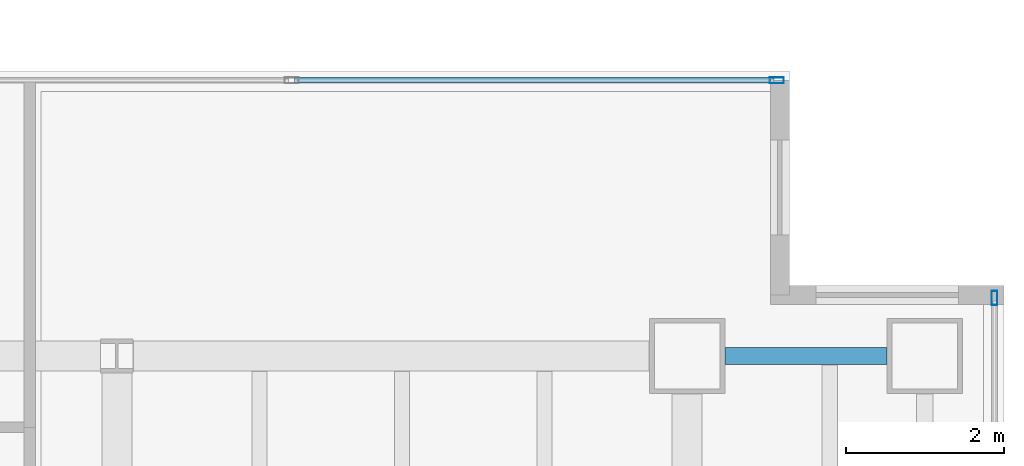
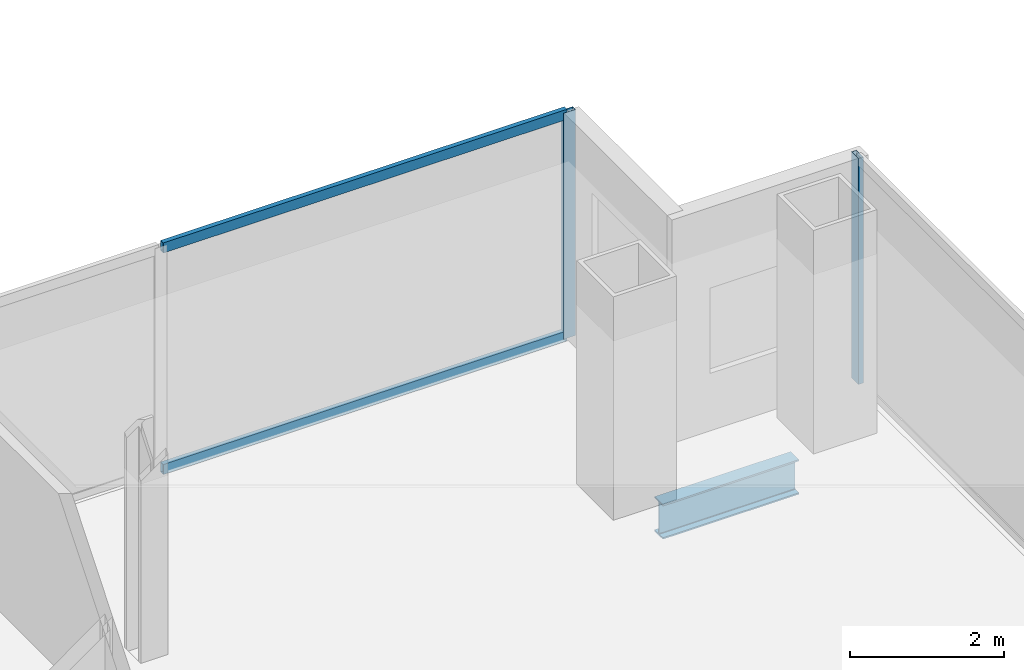
# One storey, part 15 of 24: 4 members, 1 beam, 2 elements without a shape of their own.
"""IFC4 building model written with IfcOpenShell, lengths in metres."""

from ifc_helpers import new_model, si_unit, direction, frame, origin, origin_2d, place, context, subcontext, project, spatial, hollow_rectangle, i_section, extrude, material, material_profile, profile_set, type_object, element, aggregate, save


model = new_model("IFC4")

# Units and contexts
model_context = context("Model", 3, precision=1e-05, world=origin(), true_north=direction((0.0, 1.0)))
body_context = subcontext(model_context, "Body", "Model", "MODEL_VIEW")
ifc_project = project(units=[si_unit("LENGTHUNIT", "METRE"), si_unit("AREAUNIT", "SQUARE_METRE"), si_unit("VOLUMEUNIT", "CUBIC_METRE"), si_unit("PLANEANGLEUNIT", "RADIAN"), si_unit("MASSUNIT", "GRAM", prefix="KILO")], contexts=[model_context])

# Site, building, storey
site_placement = place(None, origin())
site = spatial("IfcSite", under=ifc_project, at=site_placement, CompositionType="ELEMENT")
building_placement = place(site_placement, origin())
building = spatial("IfcBuilding", under=site, at=building_placement, Name="Cobrela Telecom Tower", CompositionType="ELEMENT")
storey_placement = place(building_placement, frame((0.0, 0.0, 106.050048828125)))
storey = spatial("IfcBuildingStorey", under=building, at=storey_placement, Name="L26", CompositionType="ELEMENT", Elevation=106.050048828125)

# Beam
ifc_material_1 = material(Name="Steel ASTM A992 Grade 50", Category="steel")
ifc_material_profile_1 = material_profile(ifc_material_1, i_section(OverallWidth=0.212890625, OverallDepth=0.549072265625, WebThickness=0.0146484375, FlangeThickness=0.023681640625, FilletRadius=0.013916015625, at=origin_2d()), Name="W21X93")
ifc_profile_set_1 = profile_set([ifc_material_profile_1], Name="Steel ASTM A992 Grade 50")
beam_type = type_object("IfcBeamType", Name="BM-SPAND-03", PredefinedType="SPANDREL", material=ifc_profile_set_1)
beam_placement = place(storey_placement, frame((43.679931640625, 21.60009765625, -0.54443359375), z_axis=(1.0, 0.0, 0.0), x_axis=(0.0, 1.0, 0.0)))
element("IfcBeam", 1, at=beam_placement, inside=storey, type_object=beam_type, Name="L26 Perimeter Spandrel X22", PredefinedType="SPANDREL", context=body_context, shape_type="SweptSolid", body=[
    extrude(i_section(OverallWidth=0.212890625, OverallDepth=0.549072265625, WebThickness=0.0146484375, FlangeThickness=0.023681640625, FilletRadius=0.013916015625, at=origin_2d()), origin(), (0.0, 0.0, 1.0), 2.0400390625),
])

# Curtain wall, member
ifc_material_2 = material(Name="Anodized Bronze Aluminium 6063-T6", Category="aluminium")
curtain_wall_type = type_object("IfcCurtainWallType", Name="CW-SYS-TEL", PredefinedType="USERDEFINED", material=ifc_material_2)
curtain_wall_1_placement = place(storey_placement, origin())
curtain_wall_1 = element("IfcCurtainWall", 2, at=curtain_wall_1_placement, inside=storey, type_object=curtain_wall_type, Name="L26 Unitised Bronze Curtain Wall 11", ObjectType="UNITISED CURTAIN WALL", PredefinedType="USERDEFINED")
ifc_material_profile_2 = material_profile(ifc_material_2, hollow_rectangle(XDim=0.074951171875, YDim=0.179931640625, WallThickness=0.00390625, at=origin_2d()), Name="ALU 75x180x4")
ifc_profile_set_2 = profile_set([ifc_material_profile_2], Name="Anodized Bronze Aluminium 6063-T6")
member_type_1 = type_object("IfcMemberType", Name="CW-SYS-TEL-MUL", PredefinedType="MULLION", material=ifc_profile_set_2)
member_1_placement = place(storey_placement, frame((44.33251953125, 25.080078125, 0.0), z_axis=(0.0, 0.0, 1.0), x_axis=(0.0, 1.0, 0.0)))
member_1 = element("IfcMember", 3, at=member_1_placement, type_object=member_type_1, Name="CW-TEL mullion 4", PredefinedType="MULLION", context=body_context, shape_type="SweptSolid", body=[
    extrude(hollow_rectangle(XDim=0.074951171875, YDim=0.179931640625, WallThickness=0.00390625, at=origin_2d()), origin(), (0.0, 0.0, 1.0), 3.579833984375),
])

curtain_wall_2_placement = place(storey_placement, origin())
curtain_wall_2 = element("IfcCurtainWall", 4, at=curtain_wall_2_placement, inside=storey, type_object=curtain_wall_type, Name="L26 Unitised Bronze Curtain Wall 14", ObjectType="UNITISED CURTAIN WALL", PredefinedType="USERDEFINED")
member_2_placement = place(storey_placement, frame((47.080078125, 22.33251953125, 0.0), z_axis=(0.0, 0.0, 1.0), x_axis=(1.0, 0.0, 0.0)))
member_2 = element("IfcMember", 5, at=member_2_placement, type_object=member_type_1, Name="CW-TEL mullion 1", PredefinedType="MULLION", context=body_context, shape_type="SweptSolid", body=[
    extrude(hollow_rectangle(XDim=0.074951171875, YDim=0.179931640625, WallThickness=0.00390625, at=origin_2d()), origin(), (0.0, 0.0, 1.0), 3.579833984375),
])
aggregate(curtain_wall_2, [member_2])

# Member
ifc_material_profile_3 = material_profile(ifc_material_2, hollow_rectangle(XDim=0.070068359375, YDim=0.159912109375, WallThickness=0.00390625, at=origin_2d()), Name="ALU 70x160x4")
ifc_profile_set_3 = profile_set([ifc_material_profile_3], Name="Anodized Bronze Aluminium 6063-T6")
member_type_2 = type_object("IfcMemberType", Name="CW-SYS-TEL-TRN", PredefinedType="USERDEFINED", material=ifc_profile_set_3)
member_3_placement = place(storey_placement, frame((38.244140625, 25.080078125, 0.034912109375), z_axis=(1.0, 0.0, 0.0), x_axis=(0.0, 1.0, 0.0)))
member_3 = element("IfcMember", 6, at=member_3_placement, type_object=member_type_2, Name="CW-TEL transom 3.1", ObjectType="TRANSOM", PredefinedType="USERDEFINED", context=body_context, shape_type="SweptSolid", body=[
    extrude(hollow_rectangle(XDim=0.070068359375, YDim=0.159912109375, WallThickness=0.00390625, at=origin_2d()), origin(), (0.0, 0.0, 1.0), 6.05078125),
])

member_4_placement = place(storey_placement, frame((38.244140625, 25.080078125, 3.544921875), z_axis=(1.0, 0.0, 0.0), x_axis=(0.0, 1.0, 0.0)))
member_4 = element("IfcMember", 7, at=member_4_placement, type_object=member_type_2, Name="CW-TEL transom 3.2", ObjectType="TRANSOM", PredefinedType="USERDEFINED", context=body_context, shape_type="SweptSolid", body=[
    extrude(hollow_rectangle(XDim=0.070068359375, YDim=0.159912109375, WallThickness=0.00390625, at=origin_2d()), origin(), (0.0, 0.0, 1.0), 6.05078125),
])

aggregate(curtain_wall_1, [member_1, member_3, member_4])

save(model, "model.ifc")
